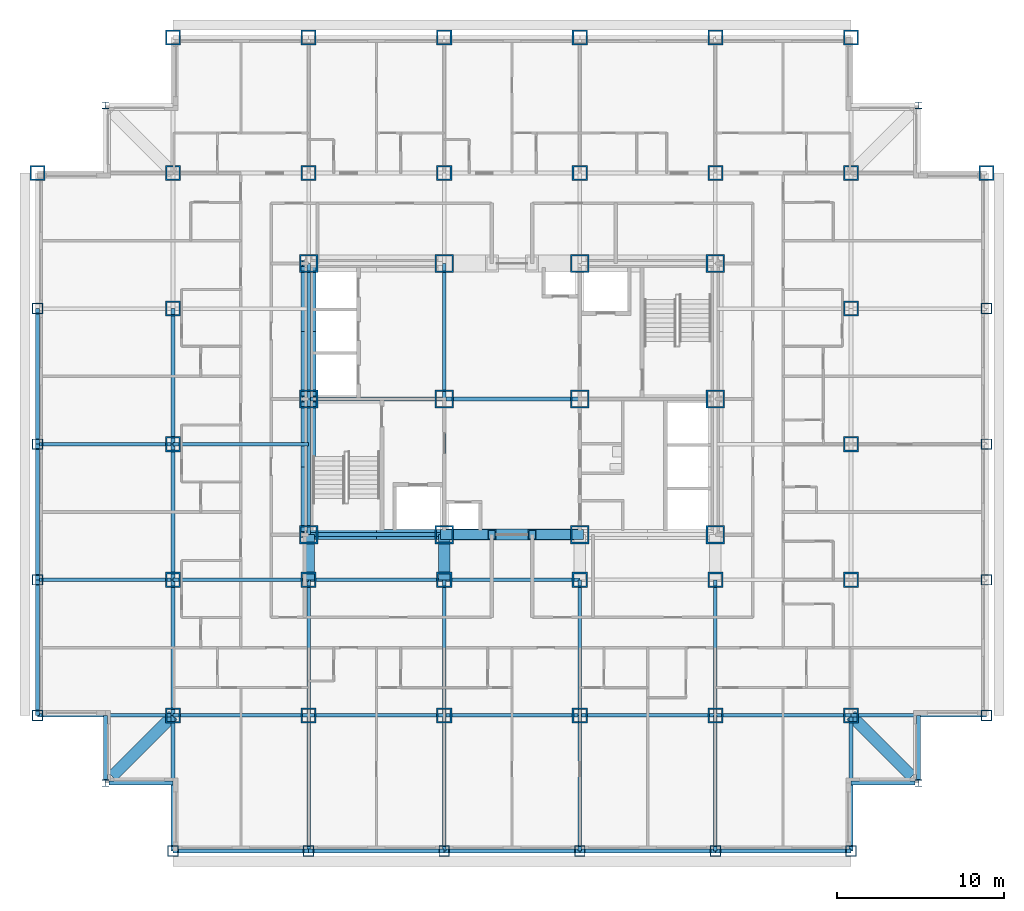
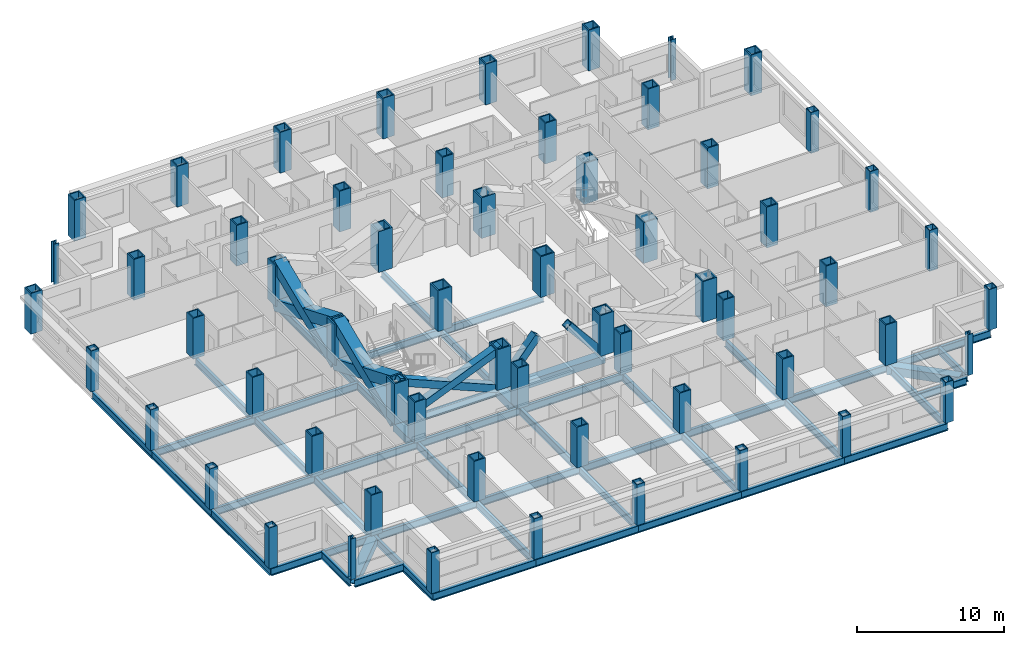
# One storey, part 1 of 13: 60 columns, 50 beams, 8 members.
"""IFC4 building model written with IfcOpenShell, lengths in metres."""

from ifc_helpers import new_model, si_unit, direction, frame, origin, origin_2d, place, context, subcontext, project, spatial, hollow_rectangle, i_section, extrude, material, material_profile, profile_set, type_object, element, save


model = new_model("IFC4")

# Units and contexts
model_context = context("Model", 3, precision=1e-05, world=origin(), true_north=direction((0.0, 1.0)))
body_context = subcontext(model_context, "Body", "Model", "MODEL_VIEW")
ifc_project = project(units=[si_unit("LENGTHUNIT", "METRE"), si_unit("AREAUNIT", "SQUARE_METRE"), si_unit("VOLUMEUNIT", "CUBIC_METRE"), si_unit("PLANEANGLEUNIT", "RADIAN"), si_unit("MASSUNIT", "GRAM", prefix="KILO")], contexts=[model_context])

# Site, building, storey
site_placement = place(None, origin())
site = spatial("IfcSite", under=ifc_project, at=site_placement, CompositionType="ELEMENT")
building_placement = place(site_placement, origin())
building = spatial("IfcBuilding", under=site, at=building_placement, Name="Kopane Lantern Tower", CompositionType="ELEMENT")
storey_placement = place(building_placement, frame((0.0, 0.0, 113.60009765625)))
storey = spatial("IfcBuildingStorey", under=building, at=storey_placement, Name="L28", CompositionType="ELEMENT", Elevation=113.60009765625)

# Columns
ifc_material_1 = material(Name="Steel S355JR", Category="steel")
ifc_material_profile_1 = material_profile(ifc_material_1, hollow_rectangle(XDim=1.10009765625, YDim=1.10009765625, WallThickness=0.10009765625, at=origin_2d()), Name="BOX 1100x1100x100")
ifc_profile_set_1 = profile_set([ifc_material_profile_1], Name="Steel S355JR")
column_type_1 = type_object("IfcColumnType", Name="COLUMN BOX 1100x1100x100", PredefinedType="COLUMN", material=ifc_profile_set_1)
for number, where, z_axis, x_axis, name in (
    (1, (16.199951171875, 24.300048828125, 0.0), (0.0, 0.0, 1.0), (1.0, 0.0, 0.0), "Column 4/E L28"),
    (2, (16.199951171875, 32.39990234375, 0.0), (0.0, 0.0, 1.0), (1.0, 0.0, 0.0), "Column 4/F L28"),
    (3, (16.199951171875, 40.5, 0.0), (0.0, 0.0, 1.0), (1.0, 0.0, 0.0), "Column 4/G L28"),
    (4, (24.300048828125, 24.300048828125, 0.0), (0.0, 0.0, 1.0), (1.0, 0.0, 0.0), "Column 5/E L28"),
    (5, (24.300048828125, 32.39990234375, 0.0), (0.0, 0.0, 1.0), (1.0, 0.0, 0.0), "Column 5/F L28"),
    (6, (24.300048828125, 40.5, 0.0), (0.0, 0.0, 1.0), (1.0, 0.0, 0.0), "Column 5/G L28"),
    (7, (32.39990234375, 24.300048828125, 0.0), (0.0, 0.0, 1.0), (1.0, 0.0, 0.0), "Column 6/E L28"),
    (8, (32.39990234375, 32.39990234375, 0.0), (0.0, 0.0, 1.0), (1.0, 0.0, 0.0), "Column 6/F L28"),
    (9, (32.39990234375, 40.5, 0.0), (0.0, 0.0, 1.0), (1.0, 0.0, 0.0), "Column 6/G L28"),
    (10, (40.5, 24.300048828125, 0.0), (0.0, 0.0, 1.0), (1.0, 0.0, 0.0), "Column 7/E L28"),
    (11, (40.5, 32.39990234375, 0.0), (0.0, 0.0, 1.0), (1.0, 0.0, 0.0), "Column 7/F L28"),
    (12, (40.5, 40.5, 0.0), (0.0, 0.0, 1.0), (1.0, 0.0, 0.0), "Column 7/G L28"),
):
    element("IfcColumn", number, at=place(storey_placement, frame(where, z_axis=z_axis, x_axis=x_axis)), inside=storey, type_object=column_type_1, Name=name, PredefinedType="COLUMN", context=body_context, shape_type="SweptSolid", body=[
        extrude(hollow_rectangle(XDim=1.10009765625, YDim=1.10009765625, WallThickness=0.10009765625, at=origin_2d()), origin(), (0.0, 0.0, 1.0), 3.39990234375),
    ])
ifc_material_2 = material(Name="Steel S355JR", Category="steel")
ifc_material_profile_2 = material_profile(ifc_material_2, hollow_rectangle(XDim=0.64990234375, YDim=0.64990234375, WallThickness=0.054931640625, at=origin_2d()), Name="BOX 650x650x55")
ifc_profile_set_2 = profile_set([ifc_material_profile_2], Name="Steel S355JR")
column_type_2 = type_object("IfcColumnType", Name="COLUMN BOX 650x650x55", PredefinedType="COLUMN", material=ifc_profile_set_2)
for number, where, z_axis, x_axis, name in (
    (13, (0.0, 13.5, 0.0), (0.0, 0.0, 1.0), (1.0, 0.0, 0.0), "Column 2/P2 L28"),
    (14, (0.0, 21.60009765625, 0.0), (0.0, 0.0, 1.0), (1.0, 0.0, 0.0), "Column 2/P3 L28"),
    (15, (0.0, 29.699951171875, 0.0), (0.0, 0.0, 1.0), (1.0, 0.0, 0.0), "Column 2/P4 L28"),
    (16, (0.0, 37.800048828125, 0.0), (0.0, 0.0, 1.0), (1.0, 0.0, 0.0), "Column 2/P5 L28"),
    (17, (8.10009765625, 5.39990234375, 0.0), (0.0, 0.0, 1.0), (1.0, 0.0, 0.0), "Column 3/P1 L28"),
    (18, (16.199951171875, 5.39990234375, 0.0), (0.0, 0.0, 1.0), (1.0, 0.0, 0.0), "Column 4/P1 L28"),
    (19, (24.300048828125, 5.39990234375, 0.0), (0.0, 0.0, 1.0), (1.0, 0.0, 0.0), "Column 5/P1 L28"),
    (20, (32.39990234375, 5.39990234375, 0.0), (0.0, 0.0, 1.0), (1.0, 0.0, 0.0), "Column 6/P1 L28"),
    (21, (40.5, 5.39990234375, 0.0), (0.0, 0.0, 1.0), (1.0, 0.0, 0.0), "Column 7/P1 L28"),
    (22, (48.60009765625, 5.39990234375, 0.0), (0.0, 0.0, 1.0), (1.0, 0.0, 0.0), "Column 8/P1 L28"),
    (23, (56.699951171875, 13.5, 0.0), (0.0, 0.0, 1.0), (1.0, 0.0, 0.0), "Column 9/P2 L28"),
    (24, (56.699951171875, 21.60009765625, 0.0), (0.0, 0.0, 1.0), (1.0, 0.0, 0.0), "Column 9/P3 L28"),
    (25, (56.699951171875, 29.699951171875, 0.0), (0.0, 0.0, 1.0), (1.0, 0.0, 0.0), "Column 9/P4 L28"),
    (26, (56.699951171875, 37.800048828125, 0.0), (0.0, 0.0, 1.0), (1.0, 0.0, 0.0), "Column 9/P5 L28"),
):
    element("IfcColumn", number, at=place(storey_placement, frame(where, z_axis=z_axis, x_axis=x_axis)), inside=storey, type_object=column_type_2, Name=name, PredefinedType="COLUMN", context=body_context, shape_type="SweptSolid", body=[
        extrude(hollow_rectangle(XDim=0.64990234375, YDim=0.64990234375, WallThickness=0.054931640625, at=origin_2d()), origin(), (0.0, 0.0, 1.0), 3.39990234375),
    ])
ifc_material_3 = material(Name="Steel S355JR", Category="steel")
ifc_material_profile_3 = material_profile(ifc_material_3, hollow_rectangle(XDim=0.89990234375, YDim=0.89990234375, WallThickness=0.090087890625, at=origin_2d()), Name="BOX 900x900x90")
ifc_profile_set_3 = profile_set([ifc_material_profile_3], Name="Steel S355JR")
column_type_3 = type_object("IfcColumnType", Name="COLUMN BOX 900x900x90", PredefinedType="COLUMN", material=ifc_profile_set_3)
for number, where, z_axis, x_axis, name in (
    (27, (0.0, 45.89990234375, 0.0), (0.0, 0.0, 1.0), (1.0, 0.0, 0.0), "Column 2/P6 L28"),
    (28, (8.10009765625, 13.5, 0.0), (0.0, 0.0, 1.0), (1.0, 0.0, 0.0), "Column 3/P2 L28"),
    (29, (8.10009765625, 21.60009765625, 0.0), (0.0, 0.0, 1.0), (1.0, 0.0, 0.0), "Column 3/P3 L28"),
    (30, (8.10009765625, 29.699951171875, 0.0), (0.0, 0.0, 1.0), (1.0, 0.0, 0.0), "Column 3/P4 L28"),
    (31, (8.10009765625, 37.800048828125, 0.0), (0.0, 0.0, 1.0), (1.0, 0.0, 0.0), "Column 3/P5 L28"),
    (32, (8.10009765625, 45.89990234375, 0.0), (0.0, 0.0, 1.0), (1.0, 0.0, 0.0), "Column 3/P6 L28"),
    (33, (8.10009765625, 54.0, 0.0), (0.0, 0.0, 1.0), (1.0, 0.0, 0.0), "Column 3/P7 L28"),
    (34, (16.199951171875, 13.5, 0.0), (0.0, 0.0, 1.0), (1.0, 0.0, 0.0), "Column 4/P2 L28"),
    (35, (16.199951171875, 21.60009765625, 0.0), (0.0, 0.0, 1.0), (1.0, 0.0, 0.0), "Column 4/P3 L28"),
    (36, (16.199951171875, 45.89990234375, 0.0), (0.0, 0.0, 1.0), (1.0, 0.0, 0.0), "Column 4/P6 L28"),
    (37, (16.199951171875, 54.0, 0.0), (0.0, 0.0, 1.0), (1.0, 0.0, 0.0), "Column 4/P7 L28"),
    (38, (24.300048828125, 13.5, 0.0), (0.0, 0.0, 1.0), (1.0, 0.0, 0.0), "Column 5/P2 L28"),
    (39, (24.300048828125, 21.60009765625, 0.0), (0.0, 0.0, 1.0), (1.0, 0.0, 0.0), "Column 5/P3 L28"),
    (40, (24.300048828125, 45.89990234375, 0.0), (0.0, 0.0, 1.0), (1.0, 0.0, 0.0), "Column 5/P6 L28"),
    (41, (24.300048828125, 54.0, 0.0), (0.0, 0.0, 1.0), (1.0, 0.0, 0.0), "Column 5/P7 L28"),
    (42, (32.39990234375, 13.5, 0.0), (0.0, 0.0, 1.0), (1.0, 0.0, 0.0), "Column 6/P2 L28"),
    (43, (32.39990234375, 21.60009765625, 0.0), (0.0, 0.0, 1.0), (1.0, 0.0, 0.0), "Column 6/P3 L28"),
    (44, (32.39990234375, 45.89990234375, 0.0), (0.0, 0.0, 1.0), (1.0, 0.0, 0.0), "Column 6/P6 L28"),
    (45, (32.39990234375, 54.0, 0.0), (0.0, 0.0, 1.0), (1.0, 0.0, 0.0), "Column 6/P7 L28"),
    (46, (40.5, 13.5, 0.0), (0.0, 0.0, 1.0), (1.0, 0.0, 0.0), "Column 7/P2 L28"),
    (47, (40.5, 21.60009765625, 0.0), (0.0, 0.0, 1.0), (1.0, 0.0, 0.0), "Column 7/P3 L28"),
    (48, (40.5, 45.89990234375, 0.0), (0.0, 0.0, 1.0), (1.0, 0.0, 0.0), "Column 7/P6 L28"),
    (49, (40.5, 54.0, 0.0), (0.0, 0.0, 1.0), (1.0, 0.0, 0.0), "Column 7/P7 L28"),
    (50, (48.60009765625, 13.5, 0.0), (0.0, 0.0, 1.0), (1.0, 0.0, 0.0), "Column 8/P2 L28"),
    (51, (48.60009765625, 21.60009765625, 0.0), (0.0, 0.0, 1.0), (1.0, 0.0, 0.0), "Column 8/P3 L28"),
    (52, (48.60009765625, 29.699951171875, 0.0), (0.0, 0.0, 1.0), (1.0, 0.0, 0.0), "Column 8/P4 L28"),
    (53, (48.60009765625, 37.800048828125, 0.0), (0.0, 0.0, 1.0), (1.0, 0.0, 0.0), "Column 8/P5 L28"),
    (54, (48.60009765625, 45.89990234375, 0.0), (0.0, 0.0, 1.0), (1.0, 0.0, 0.0), "Column 8/P6 L28"),
    (55, (48.60009765625, 54.0, 0.0), (0.0, 0.0, 1.0), (1.0, 0.0, 0.0), "Column 8/P7 L28"),
    (56, (56.699951171875, 45.89990234375, 0.0), (0.0, 0.0, 1.0), (1.0, 0.0, 0.0), "Column 9/P6 L28"),
):
    element("IfcColumn", number, at=place(storey_placement, frame(where, z_axis=z_axis, x_axis=x_axis)), inside=storey, type_object=column_type_3, Name=name, PredefinedType="COLUMN", context=body_context, shape_type="SweptSolid", body=[
        extrude(hollow_rectangle(XDim=0.89990234375, YDim=0.89990234375, WallThickness=0.090087890625, at=origin_2d()), origin(), (0.0, 0.0, 1.0), 3.39990234375),
    ])
ifc_material_4 = material(Name="Steel S355JR", Category="steel")
ifc_material_profile_4 = material_profile(ifc_material_4, i_section(OverallWidth=0.406982421875, OverallDepth=0.4189453125, WebThickness=0.030517578125, FlangeThickness=0.04931640625, FilletRadius=0.01513671875, at=origin_2d()), Name="UC 356x406x393")
ifc_profile_set_4 = profile_set([ifc_material_profile_4], Name="Steel S355JR")
column_type_4 = type_object("IfcColumnType", Name="COLUMN UC 356x406x393", PredefinedType="COLUMN", material=ifc_profile_set_4)
for number, where, z_axis, x_axis, name in (
    (57, (4.050048828125, 9.449951171875, 0.0), (0.0, 0.0, 1.0), (1.0, 0.0, 0.0), "Column 4.05/9.45 L28"),
    (58, (4.050048828125, 49.949951171875, 0.0), (0.0, 0.0, 1.0), (1.0, 0.0, 0.0), "Column 4.05/49.95 L28"),
    (59, (52.64990234375, 9.449951171875, 0.0), (0.0, 0.0, 1.0), (1.0, 0.0, 0.0), "Column 52.65/9.45 L28"),
    (60, (52.64990234375, 49.949951171875, 0.0), (0.0, 0.0, 1.0), (1.0, 0.0, 0.0), "Column 52.65/49.95 L28"),
):
    element("IfcColumn", number, at=place(storey_placement, frame(where, z_axis=z_axis, x_axis=x_axis)), inside=storey, type_object=column_type_4, Name=name, PredefinedType="COLUMN", context=body_context, shape_type="SweptSolid", body=[
        extrude(i_section(OverallWidth=0.406982421875, OverallDepth=0.4189453125, WebThickness=0.030517578125, FlangeThickness=0.04931640625, FilletRadius=0.01513671875, at=origin_2d()), origin(), (0.0, 0.0, 1.0), 3.39990234375),
    ])

# Members
ifc_material_5 = material(Name="Steel S355JR", Category="steel")
ifc_material_profile_5 = material_profile(ifc_material_5, hollow_rectangle(XDim=0.60009765625, YDim=0.60009765625, WallThickness=0.050048828125, at=origin_2d()), Name="BOX 600x600x50")
ifc_profile_set_5 = profile_set([ifc_material_profile_5], Name="Steel S355JR")
member_type_1 = type_object("IfcMemberType", Name="BRACE BOX 600x600x50", PredefinedType="BRACE", material=ifc_profile_set_5)
for number, where, z_axis, x_axis, name in (
    (61, (16.199951171875, 24.300048828125, -0.210205078125), (0.92205908274, 0.0, 0.387049154419), (0.0, 1.0, 0.0), "Core brace L28"),
    (62, (24.300048828125, 24.300048828125, -0.210205078125), (-0.92205908274, 0.0, 0.387049154419), (0.0, -1.0, 0.0), "Core brace L28"),
):
    element("IfcMember", number, at=place(storey_placement, frame(where, z_axis=z_axis, x_axis=x_axis)), inside=storey, type_object=member_type_1, Name=name, PredefinedType="BRACE", context=body_context, shape_type="SweptSolid", body=[
        extrude(hollow_rectangle(XDim=0.60009765625, YDim=0.60009765625, WallThickness=0.050048828125, at=origin_2d()), origin(), (0.0, 0.0, 1.0), 8.784912109375),
    ])
for number, where, z_axis, x_axis, name in (
    (63, (24.300048828125, 24.300048828125, -0.210205078125), (0.642363165114, 0.0, 0.766400394118), (0.0, 1.0, 0.0), "Core brace L28"),
    (64, (32.39990234375, 24.300048828125, -0.210205078125), (-0.642363165114, 0.0, 0.766400394118), (0.0, -1.0, 0.0), "Core brace L28"),
):
    element("IfcMember", number, at=place(storey_placement, frame(where, z_axis=z_axis, x_axis=x_axis)), inside=storey, type_object=member_type_1, Name=name, PredefinedType="BRACE", context=body_context, shape_type="SweptSolid", body=[
        extrude(hollow_rectangle(XDim=0.60009765625, YDim=0.60009765625, WallThickness=0.050048828125, at=origin_2d()), origin(), (0.0, 0.0, 1.0), 4.4365234375),
    ])
ifc_material_6 = material(Name="Steel S355JR", Category="steel")
ifc_material_profile_6 = material_profile(ifc_material_6, hollow_rectangle(XDim=0.89990234375, YDim=0.89990234375, WallThickness=0.090087890625, at=origin_2d()), Name="BOX 900x900x90")
ifc_profile_set_6 = profile_set([ifc_material_profile_6], Name="Steel S355JR")
member_type_2 = type_object("IfcMemberType", Name="BRACE BOX 900x900x90", PredefinedType="BRACE", material=ifc_profile_set_6)
for number, where, z_axis, x_axis, name in (
    (65, (16.199951171875, 24.300048828125, -0.210205078125), (0.0, 0.92205491925, 0.387059072864), (-1.0, 0.0, 0.0), "Core brace L28"),
    (66, (16.199951171875, 32.39990234375, -0.210205078125), (0.0, -0.92205491925, 0.387059072864), (1.0, 0.0, 0.0), "Core brace L28"),
):
    element("IfcMember", number, at=place(storey_placement, frame(where, z_axis=z_axis, x_axis=x_axis)), inside=storey, type_object=member_type_2, Name=name, PredefinedType="BRACE", context=body_context, shape_type="SweptSolid", body=[
        extrude(hollow_rectangle(XDim=0.89990234375, YDim=0.89990234375, WallThickness=0.090087890625, at=origin_2d()), origin(), (0.0, 0.0, 1.0), 8.78466796875),
    ])
for number, where, z_axis, x_axis, name in (
    (67, (16.199951171875, 32.39990234375, -0.210205078125), (0.0, 0.92205908274, 0.387049154419), (-1.0, 0.0, 0.0), "Core brace L28"),
    (68, (16.199951171875, 40.5, -0.210205078125), (0.0, -0.92205908274, 0.387049154419), (1.0, 0.0, 0.0), "Core brace L28"),
):
    element("IfcMember", number, at=place(storey_placement, frame(where, z_axis=z_axis, x_axis=x_axis)), inside=storey, type_object=member_type_2, Name=name, PredefinedType="BRACE", context=body_context, shape_type="SweptSolid", body=[
        extrude(hollow_rectangle(XDim=0.89990234375, YDim=0.89990234375, WallThickness=0.090087890625, at=origin_2d()), origin(), (0.0, 0.0, 1.0), 8.784912109375),
    ])

# Beams
ifc_material_7 = material(Name="Steel S355JR", Category="steel")
ifc_material_profile_7 = material_profile(ifc_material_7, i_section(OverallWidth=0.22900390625, OverallDepth=0.6123046875, WebThickness=0.011962890625, FlangeThickness=0.01953125, FilletRadius=0.0126953125, at=origin_2d()), Name="UB 610x229x125")
ifc_profile_set_7 = profile_set([ifc_material_profile_7], Name="Steel S355JR")
beam_type_1 = type_object("IfcBeamType", Name="CORE BEAM UB 610x229x125", PredefinedType="BEAM", material=ifc_profile_set_7)
beam_1_placement = place(storey_placement, frame((16.199951171875, 32.39990234375, -0.51611328125), z_axis=(1.0, 0.0, 0.0), x_axis=(0.0, 1.0, 0.0)))
element("IfcBeam", 69, at=beam_1_placement, inside=storey, type_object=beam_type_1, Name="Core Beam L28", PredefinedType="BEAM", context=body_context, shape_type="SweptSolid", body=[
    extrude(i_section(OverallWidth=0.22900390625, OverallDepth=0.6123046875, WebThickness=0.011962890625, FlangeThickness=0.01953125, FilletRadius=0.0126953125, at=origin_2d()), origin(), (0.0, 0.0, 1.0), 8.10009765625),
])
beam_2_placement = place(storey_placement, frame((24.300048828125, 24.300048828125, -0.51611328125), z_axis=(0.0, 1.0, 0.0), x_axis=(-1.0, 0.0, 0.0)))
element("IfcBeam", 70, at=beam_2_placement, inside=storey, type_object=beam_type_1, Name="Core Beam L28", PredefinedType="BEAM", context=body_context, shape_type="SweptSolid", body=[
    extrude(i_section(OverallWidth=0.22900390625, OverallDepth=0.6123046875, WebThickness=0.011962890625, FlangeThickness=0.01953125, FilletRadius=0.0126953125, at=origin_2d()), origin(), (0.0, 0.0, 1.0), 8.099853515625),
])
beam_3_placement = place(storey_placement, frame((24.300048828125, 32.39990234375, -0.51611328125), z_axis=(0.0, 1.0, 0.0), x_axis=(-1.0, 0.0, 0.0)))
element("IfcBeam", 71, at=beam_3_placement, inside=storey, type_object=beam_type_1, Name="Core Beam L28", PredefinedType="BEAM", context=body_context, shape_type="SweptSolid", body=[
    extrude(i_section(OverallWidth=0.22900390625, OverallDepth=0.6123046875, WebThickness=0.011962890625, FlangeThickness=0.01953125, FilletRadius=0.0126953125, at=origin_2d()), origin(), (0.0, 0.0, 1.0), 8.10009765625),
])
beam_4_placement = place(storey_placement, frame((24.300048828125, 32.39990234375, -0.51611328125), z_axis=(1.0, 0.0, 0.0), x_axis=(0.0, 1.0, 0.0)))
element("IfcBeam", 72, at=beam_4_placement, inside=storey, type_object=beam_type_1, Name="Core Beam L28", PredefinedType="BEAM", context=body_context, shape_type="SweptSolid", body=[
    extrude(i_section(OverallWidth=0.22900390625, OverallDepth=0.6123046875, WebThickness=0.011962890625, FlangeThickness=0.01953125, FilletRadius=0.0126953125, at=origin_2d()), origin(), (0.0, 0.0, 1.0), 8.099853515625),
])
ifc_material_8 = material(Name="Steel S355JR", Category="steel")
ifc_material_profile_8 = material_profile(ifc_material_8, hollow_rectangle(XDim=0.699951171875, YDim=0.699951171875, WallThickness=0.06005859375, at=origin_2d()), Name="BOX 700x700x60")
ifc_profile_set_8 = profile_set([ifc_material_profile_8], Name="Steel S355JR")
beam_type_2 = type_object("IfcBeamType", Name="CORNER TIE BEAM BOX 700x700x60", PredefinedType="BEAM", material=ifc_profile_set_8)
beam_5_placement = place(storey_placement, frame((4.447509765625, 9.847412109375, -0.56005859375), z_axis=(0.707106781187, 0.707106781187, 0.0), x_axis=(-0.707106781187, 0.707106781187, 0.0)))
element("IfcBeam", 73, at=beam_5_placement, inside=storey, type_object=beam_type_2, Name="Corner Tie Beam L28", PredefinedType="BEAM", context=body_context, shape_type="SweptSolid", body=[
    extrude(hollow_rectangle(XDim=0.699951171875, YDim=0.699951171875, WallThickness=0.06005859375, at=origin_2d()), origin(), (0.0, 0.0, 1.0), 5.16552734375),
])
beam_6_placement = place(storey_placement, frame((52.25244140625, 9.847412109375, -0.56005859375), z_axis=(-0.707083148333, 0.70713041325, 0.0), x_axis=(-0.70713041325, -0.707083148333, 0.0)))
element("IfcBeam", 74, at=beam_6_placement, inside=storey, type_object=beam_type_2, Name="Corner Tie Beam L28", PredefinedType="BEAM", context=body_context, shape_type="SweptSolid", body=[
    extrude(hollow_rectangle(XDim=0.699951171875, YDim=0.699951171875, WallThickness=0.06005859375, at=origin_2d()), origin(), (0.0, 0.0, 1.0), 5.165283203125),
])
ifc_material_9 = material(Name="Steel S355JR", Category="steel")
ifc_material_profile_9 = material_profile(ifc_material_9, i_section(OverallWidth=0.22900390625, OverallDepth=0.6123046875, WebThickness=0.011962890625, FlangeThickness=0.01953125, FilletRadius=0.0126953125, at=origin_2d()), Name="UB 610x229x125")
ifc_profile_set_9 = profile_set([ifc_material_profile_9], Name="Steel S355JR")
beam_type_3 = type_object("IfcBeamType", Name="EDGE BEAM UB 610x229x125", PredefinedType="BEAM", material=ifc_profile_set_9)
beam_7_placement = place(storey_placement, frame((4.050048828125, 9.653564453125, -0.51611328125), z_axis=(0.0, 1.0, 0.0), x_axis=(-1.0, 0.0, 0.0)))
element("IfcBeam", 75, at=beam_7_placement, inside=storey, type_object=beam_type_3, Name="Edge Beam L28", PredefinedType="BEAM", context=body_context, shape_type="SweptSolid", body=[
    extrude(i_section(OverallWidth=0.22900390625, OverallDepth=0.6123046875, WebThickness=0.011962890625, FlangeThickness=0.01953125, FilletRadius=0.0126953125, at=origin_2d()), origin(), (0.0, 0.0, 1.0), 3.846435546875),
])
beam_8_placement = place(storey_placement, frame((4.25341796875, 9.449951171875, -0.51611328125), z_axis=(1.0, 0.0, 0.0), x_axis=(0.0, 1.0, 0.0)))
element("IfcBeam", 76, at=beam_8_placement, inside=storey, type_object=beam_type_3, Name="Edge Beam L28", PredefinedType="BEAM", context=body_context, shape_type="SweptSolid", body=[
    extrude(i_section(OverallWidth=0.22900390625, OverallDepth=0.6123046875, WebThickness=0.011962890625, FlangeThickness=0.01953125, FilletRadius=0.0126953125, at=origin_2d()), origin(), (0.0, 0.0, 1.0), 3.8466796875),
])
for number, where, z_axis, x_axis, name in (
    (77, (52.446533203125, 9.449951171875, -0.51611328125), (-1.0, 0.0, 0.0), (0.0, -1.0, 0.0), "Edge Beam L28"),
    (78, (52.64990234375, 9.653564453125, -0.51611328125), (0.0, 1.0, 0.0), (-1.0, 0.0, 0.0), "Edge Beam L28"),
):
    element("IfcBeam", number, at=place(storey_placement, frame(where, z_axis=z_axis, x_axis=x_axis)), inside=storey, type_object=beam_type_3, Name=name, PredefinedType="BEAM", context=body_context, shape_type="SweptSolid", body=[
        extrude(i_section(OverallWidth=0.22900390625, OverallDepth=0.6123046875, WebThickness=0.011962890625, FlangeThickness=0.01953125, FilletRadius=0.0126953125, at=origin_2d()), origin(), (0.0, 0.0, 1.0), 3.846435546875),
    ])
ifc_material_10 = material(Name="Steel S355JR", Category="steel")
ifc_material_profile_10 = material_profile(ifc_material_10, hollow_rectangle(XDim=0.699951171875, YDim=0.699951171875, WallThickness=0.06005859375, at=origin_2d()), Name="BOX 700x700x60")
ifc_profile_set_10 = profile_set([ifc_material_profile_10], Name="Steel S355JR")
beam_type_4 = type_object("IfcBeamType", Name="GIRDER BOX 700x700x60", PredefinedType="BEAM", material=ifc_profile_set_10)
for number, where, z_axis, x_axis, name in (
    (79, (16.199951171875, 21.60009765625, -0.56005859375), (0.0, 1.0, 0.0), (-1.0, 0.0, 0.0), "Girder L28"),
    (80, (24.300048828125, 21.60009765625, -0.56005859375), (0.0, 1.0, 0.0), (-1.0, 0.0, 0.0), "Girder L28"),
):
    element("IfcBeam", number, at=place(storey_placement, frame(where, z_axis=z_axis, x_axis=x_axis)), inside=storey, type_object=beam_type_4, Name=name, PredefinedType="BEAM", context=body_context, shape_type="SweptSolid", body=[
        extrude(hollow_rectangle(XDim=0.699951171875, YDim=0.699951171875, WallThickness=0.06005859375, at=origin_2d()), origin(), (0.0, 0.0, 1.0), 2.699951171875),
    ])
ifc_material_11 = material(Name="Steel S355JR", Category="steel")
ifc_material_profile_11 = material_profile(ifc_material_11, i_section(OverallWidth=0.22900390625, OverallDepth=0.6123046875, WebThickness=0.011962890625, FlangeThickness=0.01953125, FilletRadius=0.0126953125, at=origin_2d()), Name="UB 610x229x125")
ifc_profile_set_11 = profile_set([ifc_material_profile_11], Name="Steel S355JR")
beam_type_5 = type_object("IfcBeamType", Name="GIRDER UB 610x229x125", PredefinedType="BEAM", material=ifc_profile_set_11)
for number, where, z_axis, x_axis, name in (
    (81, (0.0, 13.5, -0.51611328125), (0.0, 1.0, 0.0), (-1.0, 0.0, 0.0), "Girder L28"),
    (82, (0.0, 13.5, -0.51611328125), (1.0, 0.0, 0.0), (0.0, 1.0, 0.0), "Girder L28"),
):
    element("IfcBeam", number, at=place(storey_placement, frame(where, z_axis=z_axis, x_axis=x_axis)), inside=storey, type_object=beam_type_5, Name=name, PredefinedType="BEAM", context=body_context, shape_type="SweptSolid", body=[
        extrude(i_section(OverallWidth=0.22900390625, OverallDepth=0.6123046875, WebThickness=0.011962890625, FlangeThickness=0.01953125, FilletRadius=0.0126953125, at=origin_2d()), origin(), (0.0, 0.0, 1.0), 8.10009765625),
    ])
beam_9_placement = place(storey_placement, frame((0.0, 21.60009765625, -0.51611328125), z_axis=(0.0, 1.0, 0.0), x_axis=(-1.0, 0.0, 0.0)))
element("IfcBeam", 83, at=beam_9_placement, inside=storey, type_object=beam_type_5, Name="Girder L28", PredefinedType="BEAM", context=body_context, shape_type="SweptSolid", body=[
    extrude(i_section(OverallWidth=0.22900390625, OverallDepth=0.6123046875, WebThickness=0.011962890625, FlangeThickness=0.01953125, FilletRadius=0.0126953125, at=origin_2d()), origin(), (0.0, 0.0, 1.0), 8.099853515625),
])
for number, where, z_axis, x_axis, name in (
    (84, (0.0, 21.60009765625, -0.51611328125), (1.0, 0.0, 0.0), (0.0, 1.0, 0.0), "Girder L28"),
    (85, (0.0, 29.699951171875, -0.51611328125), (0.0, 1.0, 0.0), (-1.0, 0.0, 0.0), "Girder L28"),
    (86, (0.0, 29.699951171875, -0.51611328125), (1.0, 0.0, 0.0), (0.0, 1.0, 0.0), "Girder L28"),
    (87, (8.10009765625, 5.39990234375, -0.51611328125), (0.0, 1.0, 0.0), (-1.0, 0.0, 0.0), "Girder L28"),
):
    element("IfcBeam", number, at=place(storey_placement, frame(where, z_axis=z_axis, x_axis=x_axis)), inside=storey, type_object=beam_type_5, Name=name, PredefinedType="BEAM", context=body_context, shape_type="SweptSolid", body=[
        extrude(i_section(OverallWidth=0.22900390625, OverallDepth=0.6123046875, WebThickness=0.011962890625, FlangeThickness=0.01953125, FilletRadius=0.0126953125, at=origin_2d()), origin(), (0.0, 0.0, 1.0), 8.10009765625),
    ])
beam_10_placement = place(storey_placement, frame((8.10009765625, 5.39990234375, -0.51611328125), z_axis=(1.0, 0.0, 0.0), x_axis=(0.0, 1.0, 0.0)))
element("IfcBeam", 88, at=beam_10_placement, inside=storey, type_object=beam_type_5, Name="Girder L28", PredefinedType="BEAM", context=body_context, shape_type="SweptSolid", body=[
    extrude(i_section(OverallWidth=0.22900390625, OverallDepth=0.6123046875, WebThickness=0.011962890625, FlangeThickness=0.01953125, FilletRadius=0.0126953125, at=origin_2d()), origin(), (0.0, 0.0, 1.0), 8.099853515625),
])
beam_11_placement = place(storey_placement, frame((8.10009765625, 13.5, -0.51611328125), z_axis=(0.0, 1.0, 0.0), x_axis=(-1.0, 0.0, 0.0)))
element("IfcBeam", 89, at=beam_11_placement, inside=storey, type_object=beam_type_5, Name="Girder L28", PredefinedType="BEAM", context=body_context, shape_type="SweptSolid", body=[
    extrude(i_section(OverallWidth=0.22900390625, OverallDepth=0.6123046875, WebThickness=0.011962890625, FlangeThickness=0.01953125, FilletRadius=0.0126953125, at=origin_2d()), origin(), (0.0, 0.0, 1.0), 8.10009765625),
])
for number, where, z_axis, x_axis, name in (
    (90, (8.10009765625, 13.5, -0.51611328125), (1.0, 0.0, 0.0), (0.0, 1.0, 0.0), "Girder L28"),
    (91, (8.10009765625, 21.60009765625, -0.51611328125), (0.0, 1.0, 0.0), (-1.0, 0.0, 0.0), "Girder L28"),
    (92, (8.10009765625, 21.60009765625, -0.51611328125), (1.0, 0.0, 0.0), (0.0, 1.0, 0.0), "Girder L28"),
):
    element("IfcBeam", number, at=place(storey_placement, frame(where, z_axis=z_axis, x_axis=x_axis)), inside=storey, type_object=beam_type_5, Name=name, PredefinedType="BEAM", context=body_context, shape_type="SweptSolid", body=[
        extrude(i_section(OverallWidth=0.22900390625, OverallDepth=0.6123046875, WebThickness=0.011962890625, FlangeThickness=0.01953125, FilletRadius=0.0126953125, at=origin_2d()), origin(), (0.0, 0.0, 1.0), 8.099853515625),
    ])
beam_12_placement = place(storey_placement, frame((8.10009765625, 29.699951171875, -0.51611328125), z_axis=(0.0, 1.0, 0.0), x_axis=(-1.0, 0.0, 0.0)))
element("IfcBeam", 93, at=beam_12_placement, inside=storey, type_object=beam_type_5, Name="Girder L28", PredefinedType="BEAM", context=body_context, shape_type="SweptSolid", body=[
    extrude(i_section(OverallWidth=0.22900390625, OverallDepth=0.6123046875, WebThickness=0.011962890625, FlangeThickness=0.01953125, FilletRadius=0.0126953125, at=origin_2d()), origin(), (0.0, 0.0, 1.0), 8.10009765625),
])
beam_13_placement = place(storey_placement, frame((8.10009765625, 29.699951171875, -0.51611328125), z_axis=(1.0, 0.0, 0.0), x_axis=(0.0, 1.0, 0.0)))
element("IfcBeam", 94, at=beam_13_placement, inside=storey, type_object=beam_type_5, Name="Girder L28", PredefinedType="BEAM", context=body_context, shape_type="SweptSolid", body=[
    extrude(i_section(OverallWidth=0.22900390625, OverallDepth=0.6123046875, WebThickness=0.011962890625, FlangeThickness=0.01953125, FilletRadius=0.0126953125, at=origin_2d()), origin(), (0.0, 0.0, 1.0), 8.099853515625),
])
for number, where, z_axis, x_axis, name in (
    (95, (16.199951171875, 5.39990234375, -0.51611328125), (0.0, 1.0, 0.0), (-1.0, 0.0, 0.0), "Girder L28"),
    (96, (16.199951171875, 5.39990234375, -0.51611328125), (1.0, 0.0, 0.0), (0.0, 1.0, 0.0), "Girder L28"),
    (97, (16.199951171875, 13.5, -0.51611328125), (0.0, 1.0, 0.0), (-1.0, 0.0, 0.0), "Girder L28"),
    (98, (16.199951171875, 13.5, -0.51611328125), (1.0, 0.0, 0.0), (0.0, 1.0, 0.0), "Girder L28"),
    (99, (16.199951171875, 21.60009765625, -0.51611328125), (1.0, 0.0, 0.0), (0.0, 1.0, 0.0), "Girder L28"),
):
    element("IfcBeam", number, at=place(storey_placement, frame(where, z_axis=z_axis, x_axis=x_axis)), inside=storey, type_object=beam_type_5, Name=name, PredefinedType="BEAM", context=body_context, shape_type="SweptSolid", body=[
        extrude(i_section(OverallWidth=0.22900390625, OverallDepth=0.6123046875, WebThickness=0.011962890625, FlangeThickness=0.01953125, FilletRadius=0.0126953125, at=origin_2d()), origin(), (0.0, 0.0, 1.0), 8.10009765625),
    ])
beam_14_placement = place(storey_placement, frame((16.199951171875, 24.300048828125, -0.51611328125), z_axis=(0.0, 1.0, 0.0), x_axis=(-1.0, 0.0, 0.0)))
element("IfcBeam", 100, at=beam_14_placement, inside=storey, type_object=beam_type_5, Name="Girder L28", PredefinedType="BEAM", context=body_context, shape_type="SweptSolid", body=[
    extrude(i_section(OverallWidth=0.22900390625, OverallDepth=0.6123046875, WebThickness=0.011962890625, FlangeThickness=0.01953125, FilletRadius=0.0126953125, at=origin_2d()), origin(), (0.0, 0.0, 1.0), 8.099853515625),
])
for number, where, z_axis, x_axis, name in (
    (101, (16.199951171875, 24.300048828125, -0.51611328125), (1.0, 0.0, 0.0), (0.0, 1.0, 0.0), "Girder L28"),
    (102, (16.199951171875, 32.39990234375, -0.51611328125), (0.0, 1.0, 0.0), (-1.0, 0.0, 0.0), "Girder L28"),
    (103, (24.300048828125, 5.39990234375, -0.51611328125), (0.0, 1.0, 0.0), (-1.0, 0.0, 0.0), "Girder L28"),
):
    element("IfcBeam", number, at=place(storey_placement, frame(where, z_axis=z_axis, x_axis=x_axis)), inside=storey, type_object=beam_type_5, Name=name, PredefinedType="BEAM", context=body_context, shape_type="SweptSolid", body=[
        extrude(i_section(OverallWidth=0.22900390625, OverallDepth=0.6123046875, WebThickness=0.011962890625, FlangeThickness=0.01953125, FilletRadius=0.0126953125, at=origin_2d()), origin(), (0.0, 0.0, 1.0), 8.10009765625),
    ])
beam_15_placement = place(storey_placement, frame((24.300048828125, 5.39990234375, -0.51611328125), z_axis=(1.0, 0.0, 0.0), x_axis=(0.0, 1.0, 0.0)))
element("IfcBeam", 104, at=beam_15_placement, inside=storey, type_object=beam_type_5, Name="Girder L28", PredefinedType="BEAM", context=body_context, shape_type="SweptSolid", body=[
    extrude(i_section(OverallWidth=0.22900390625, OverallDepth=0.6123046875, WebThickness=0.011962890625, FlangeThickness=0.01953125, FilletRadius=0.0126953125, at=origin_2d()), origin(), (0.0, 0.0, 1.0), 8.099853515625),
])
beam_16_placement = place(storey_placement, frame((24.300048828125, 13.5, -0.51611328125), z_axis=(0.0, 1.0, 0.0), x_axis=(-1.0, 0.0, 0.0)))
element("IfcBeam", 105, at=beam_16_placement, inside=storey, type_object=beam_type_5, Name="Girder L28", PredefinedType="BEAM", context=body_context, shape_type="SweptSolid", body=[
    extrude(i_section(OverallWidth=0.22900390625, OverallDepth=0.6123046875, WebThickness=0.011962890625, FlangeThickness=0.01953125, FilletRadius=0.0126953125, at=origin_2d()), origin(), (0.0, 0.0, 1.0), 8.10009765625),
])
for number, where, z_axis, x_axis, name in (
    (106, (24.300048828125, 13.5, -0.51611328125), (1.0, 0.0, 0.0), (0.0, 1.0, 0.0), "Girder L28"),
    (107, (24.300048828125, 21.60009765625, -0.51611328125), (1.0, 0.0, 0.0), (0.0, 1.0, 0.0), "Girder L28"),
):
    element("IfcBeam", number, at=place(storey_placement, frame(where, z_axis=z_axis, x_axis=x_axis)), inside=storey, type_object=beam_type_5, Name=name, PredefinedType="BEAM", context=body_context, shape_type="SweptSolid", body=[
        extrude(i_section(OverallWidth=0.22900390625, OverallDepth=0.6123046875, WebThickness=0.011962890625, FlangeThickness=0.01953125, FilletRadius=0.0126953125, at=origin_2d()), origin(), (0.0, 0.0, 1.0), 8.099853515625),
    ])
for number, where, z_axis, x_axis, name in (
    (108, (32.39990234375, 5.39990234375, -0.51611328125), (0.0, 1.0, 0.0), (-1.0, 0.0, 0.0), "Girder L28"),
    (109, (32.39990234375, 5.39990234375, -0.51611328125), (1.0, 0.0, 0.0), (0.0, 1.0, 0.0), "Girder L28"),
    (110, (32.39990234375, 13.5, -0.51611328125), (0.0, 1.0, 0.0), (-1.0, 0.0, 0.0), "Girder L28"),
    (111, (32.39990234375, 13.5, -0.51611328125), (1.0, 0.0, 0.0), (0.0, 1.0, 0.0), "Girder L28"),
    (112, (40.5, 5.39990234375, -0.51611328125), (0.0, 1.0, 0.0), (-1.0, 0.0, 0.0), "Girder L28"),
    (113, (40.5, 5.39990234375, -0.51611328125), (1.0, 0.0, 0.0), (0.0, 1.0, 0.0), "Girder L28"),
    (114, (40.5, 13.5, -0.51611328125), (0.0, 1.0, 0.0), (-1.0, 0.0, 0.0), "Girder L28"),
    (115, (40.5, 13.5, -0.51611328125), (1.0, 0.0, 0.0), (0.0, 1.0, 0.0), "Girder L28"),
    (116, (48.60009765625, 5.39990234375, -0.51611328125), (0.0, 1.0, 0.0), (-1.0, 0.0, 0.0), "Girder L28"),
):
    element("IfcBeam", number, at=place(storey_placement, frame(where, z_axis=z_axis, x_axis=x_axis)), inside=storey, type_object=beam_type_5, Name=name, PredefinedType="BEAM", context=body_context, shape_type="SweptSolid", body=[
        extrude(i_section(OverallWidth=0.22900390625, OverallDepth=0.6123046875, WebThickness=0.011962890625, FlangeThickness=0.01953125, FilletRadius=0.0126953125, at=origin_2d()), origin(), (0.0, 0.0, 1.0), 8.10009765625),
    ])
beam_17_placement = place(storey_placement, frame((48.60009765625, 13.5, -0.51611328125), z_axis=(1.0, 0.0, 0.0), x_axis=(0.0, 1.0, 0.0)))
element("IfcBeam", 117, at=beam_17_placement, inside=storey, type_object=beam_type_5, Name="Girder L28", PredefinedType="BEAM", context=body_context, shape_type="SweptSolid", body=[
    extrude(i_section(OverallWidth=0.22900390625, OverallDepth=0.6123046875, WebThickness=0.011962890625, FlangeThickness=0.01953125, FilletRadius=0.0126953125, at=origin_2d()), origin(), (0.0, 0.0, 1.0), 8.099853515625),
])
ifc_material_12 = material(Name="Steel S355JR", Category="steel")
ifc_material_profile_12 = material_profile(ifc_material_12, hollow_rectangle(XDim=0.64990234375, YDim=0.64990234375, WallThickness=0.070068359375, at=origin_2d()), Name="BOX 650x650x70")
ifc_profile_set_12 = profile_set([ifc_material_profile_12], Name="Steel S355JR")
beam_type_6 = type_object("IfcBeamType", Name="LINK BEAM BOX 650x650x70", PredefinedType="BEAM", material=ifc_profile_set_12)
beam_18_placement = place(storey_placement, frame((24.300048828125, 24.300048828125, -0.53515625), z_axis=(1.0, 0.0, 0.0), x_axis=(0.0, 1.0, 0.0)))
element("IfcBeam", 118, at=beam_18_placement, inside=storey, type_object=beam_type_6, Name="Link Beam L28", PredefinedType="BEAM", context=body_context, shape_type="SweptSolid", body=[
    extrude(hollow_rectangle(XDim=0.64990234375, YDim=0.64990234375, WallThickness=0.070068359375, at=origin_2d()), origin(), (0.0, 0.0, 1.0), 8.099853515625),
])

save(model, "model.ifc")
